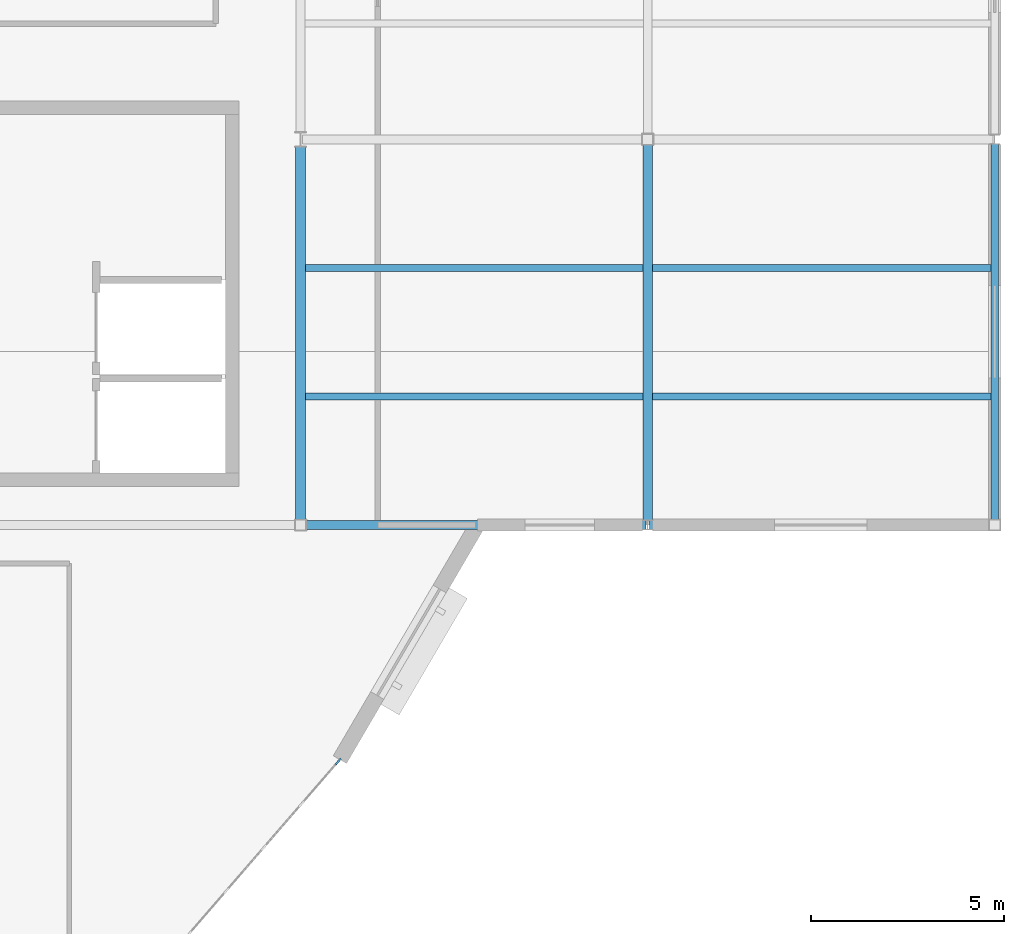
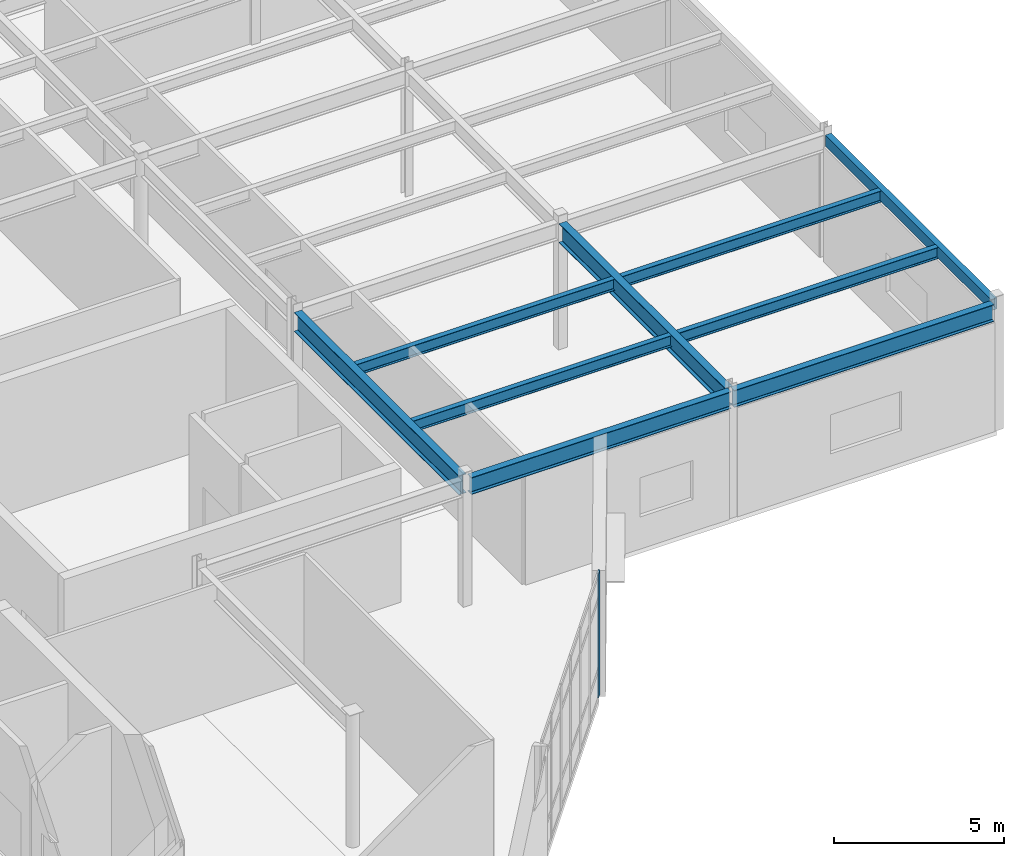
# One storey, part 50 of 86: 9 beams, 1 member, 1 element without a shape of its own.
"""IFC4 building model written with IfcOpenShell, lengths in metres."""

from ifc_helpers import new_model, si_unit, direction, frame, origin, origin_2d, place, context, subcontext, project, spatial, rectangle, hollow_rectangle, i_section, extrude, material, material_profile, profile_set, type_object, element, aggregate, save


model = new_model("IFC4")

# Units and contexts
model_context = context("Model", 3, precision=1e-05, world=origin(), true_north=direction((0.0, 1.0)))
body_context = subcontext(model_context, "Body", "Model", "MODEL_VIEW")
ifc_project = project(units=[si_unit("LENGTHUNIT", "METRE"), si_unit("AREAUNIT", "SQUARE_METRE"), si_unit("VOLUMEUNIT", "CUBIC_METRE"), si_unit("PLANEANGLEUNIT", "RADIAN"), si_unit("MASSUNIT", "GRAM", prefix="KILO")], contexts=[model_context])

# Site, building, storey
site_placement = place(None, origin())
site = spatial("IfcSite", under=ifc_project, at=site_placement, CompositionType="ELEMENT")
building_placement = place(site_placement, origin())
building = spatial("IfcBuilding", under=site, at=building_placement, Name="Glasvene Arena", CompositionType="ELEMENT")
storey_placement = place(building_placement, frame((0.0, 0.0, 5.39990234375)))
storey = spatial("IfcBuildingStorey", under=building, at=storey_placement, Name="L01", CompositionType="ELEMENT", Elevation=5.39990234375)

# Beams
ifc_material_1 = material(Name="Steel S355J2", Category="steel")
ifc_material_profile_1 = material_profile(ifc_material_1, i_section(OverallWidth=0.228271484375, OverallDepth=0.607666015625, WebThickness=0.010986328125, FlangeThickness=0.017333984375, FilletRadius=0.0126953125, at=origin_2d()), Name="UKB 610x229x113")
ifc_profile_set_1 = profile_set([ifc_material_profile_1], Name="Steel S355J2")
beam_type_1 = type_object("IfcBeamType", Name="BM-GIRD-610", PredefinedType="BEAM", material=ifc_profile_set_1)
for number, where, z_axis, x_axis, name in (
    (1, (156.14501953125, 54.0, 4.21630859375), (1.0, 0.0, 0.0), (0.0, 1.0, 0.0), "Primary X girder L01-0559"),
    (2, (165.050048828125, 54.0, 4.21630859375), (1.0, 0.0, 0.0), (0.0, 1.0, 0.0), "Primary X girder L01-0560"),
):
    element("IfcBeam", number, at=place(storey_placement, frame(where, z_axis=z_axis, x_axis=x_axis)), inside=storey, type_object=beam_type_1, Name=name, PredefinedType="BEAM", context=body_context, shape_type="SweptSolid", body=[
        extrude(i_section(OverallWidth=0.228271484375, OverallDepth=0.607666015625, WebThickness=0.010986328125, FlangeThickness=0.017333984375, FilletRadius=0.0126953125, at=origin_2d()), origin(), (0.0, 0.0, 1.0), 8.804931640625),
    ])
ifc_material_profile_2 = material_profile(ifc_material_1, i_section(OverallWidth=0.253662109375, OverallDepth=0.68359375, WebThickness=0.012451171875, FlangeThickness=0.01904296875, FilletRadius=0.01513671875, at=origin_2d()), Name="UKB 686x254x140")
ifc_profile_set_2 = profile_set([ifc_material_profile_2], Name="Steel S355J2")
beam_type_2 = type_object("IfcBeamType", Name="BM-GIRD-686", PredefinedType="BEAM", material=ifc_profile_set_2)
beam_1_placement = place(storey_placement, frame((156.0, 54.14501953125, 4.178466796875), z_axis=(0.0, 1.0, 0.0), x_axis=(-1.0, 0.0, 0.0)))
element("IfcBeam", 3, at=beam_1_placement, inside=storey, type_object=beam_type_2, Name="Primary Y girder L01-0655", PredefinedType="BEAM", context=body_context, shape_type="SweptSolid", body=[
    extrude(i_section(OverallWidth=0.253662109375, OverallDepth=0.68359375, WebThickness=0.012451171875, FlangeThickness=0.01904296875, FilletRadius=0.01513671875, at=origin_2d()), origin(), (0.0, 0.0, 1.0), 9.659912109375),
])
beam_2_placement = place(storey_placement, frame((165.0, 54.125, 4.178466796875), z_axis=(0.0, 1.0, 0.0), x_axis=(-1.0, 0.0, 0.0)))
element("IfcBeam", 4, at=beam_2_placement, inside=storey, type_object=beam_type_2, Name="Primary Y girder L01-0662", PredefinedType="BEAM", context=body_context, shape_type="SweptSolid", body=[
    extrude(i_section(OverallWidth=0.253662109375, OverallDepth=0.68359375, WebThickness=0.012451171875, FlangeThickness=0.01904296875, FilletRadius=0.01513671875, at=origin_2d()), origin(), (0.0, 0.0, 1.0), 9.72998046875),
])
ifc_material_profile_3 = material_profile(ifc_material_1, i_section(OverallWidth=0.177978515625, OverallDepth=0.406494140625, WebThickness=0.0078125, FlangeThickness=0.0126953125, FilletRadius=0.01025390625, at=origin_2d()), Name="UKB 406x178x60")
ifc_profile_set_3 = profile_set([ifc_material_profile_3], Name="Steel S355J2")
beam_type_3 = type_object("IfcBeamType", Name="BM-JOIST-406", PredefinedType="JOIST", material=ifc_profile_set_3)
for number, where, z_axis, x_axis, name in (
    (5, (156.122802734375, 57.333251953125, 4.31689453125), (1.0, 0.0, 0.0), (0.0, 1.0, 0.0), "Composite floor joist L01-0751"),
    (6, (156.122802734375, 60.666748046875, 4.31689453125), (1.0, 0.0, 0.0), (0.0, 1.0, 0.0), "Composite floor joist L01-0752"),
):
    element("IfcBeam", number, at=place(storey_placement, frame(where, z_axis=z_axis, x_axis=x_axis)), inside=storey, type_object=beam_type_3, Name=name, PredefinedType="JOIST", context=body_context, shape_type="SweptSolid", body=[
        extrude(i_section(OverallWidth=0.177978515625, OverallDepth=0.406494140625, WebThickness=0.0078125, FlangeThickness=0.0126953125, FilletRadius=0.01025390625, at=origin_2d()), origin(), (0.0, 0.0, 1.0), 8.75439453125),
    ])
for number, where, z_axis, x_axis, name in (
    (7, (165.122802734375, 57.333251953125, 4.31689453125), (1.0, 0.0, 0.0), (0.0, 1.0, 0.0), "Composite floor joist L01-0765"),
    (8, (165.122802734375, 60.666748046875, 4.31689453125), (1.0, 0.0, 0.0), (0.0, 1.0, 0.0), "Composite floor joist L01-0766"),
):
    element("IfcBeam", number, at=place(storey_placement, frame(where, z_axis=z_axis, x_axis=x_axis)), inside=storey, type_object=beam_type_3, Name=name, PredefinedType="JOIST", context=body_context, shape_type="SweptSolid", body=[
        extrude(i_section(OverallWidth=0.177978515625, OverallDepth=0.406494140625, WebThickness=0.0078125, FlangeThickness=0.0126953125, FilletRadius=0.01025390625, at=origin_2d()), origin(), (0.0, 0.0, 1.0), 8.78125),
    ])
ifc_material_profile_4 = material_profile(ifc_material_1, hollow_rectangle(XDim=0.199951171875, YDim=0.39990234375, WallThickness=0.01611328125, at=origin_2d()), Name="RHS 400x200x16.0")
ifc_profile_set_4 = profile_set([ifc_material_profile_4], Name="Steel S355J2")
beam_type_4 = type_object("IfcBeamType", Name="BM-SPAND-400", PredefinedType="SPANDREL", material=ifc_profile_set_4)
beam_3_placement = place(storey_placement, frame((174.0, 54.14501953125, 4.320068359375), z_axis=(0.0, 1.0, 0.0), x_axis=(-1.0, 0.0, 0.0)))
element("IfcBeam", 9, at=beam_3_placement, inside=storey, type_object=beam_type_4, Name="Primary Y girder L01-0669", PredefinedType="SPANDREL", context=body_context, shape_type="SweptSolid", body=[
    extrude(hollow_rectangle(XDim=0.199951171875, YDim=0.39990234375, WallThickness=0.01611328125, at=origin_2d()), origin(), (0.0, 0.0, 1.0), 9.72998046875),
])

# Curtain wall, member
ifc_material_2 = material(Name="Low-emissivity laminated double glazing", Category="glass")
curtain_wall_type = type_object("IfcCurtainWallType", Name="CW-FAC-L01-892x446", PredefinedType="USERDEFINED", material=ifc_material_2)
curtain_wall_placement = place(storey_placement, frame((156.99267578125, 47.884521484375, 0.0)))
curtain_wall = element("IfcCurtainWall", 10, at=curtain_wall_placement, inside=storey, type_object=curtain_wall_type, Name="Unitised curtain wall CW-F-L01-180-1541-445-34", ObjectType="CURTAIN WALL", PredefinedType="USERDEFINED")
ifc_material_3 = material(Name="Anodised architectural aluminium", Category="aluminium")
ifc_material_profile_5 = material_profile(ifc_material_3, rectangle(XDim=0.050048828125, YDim=0.199951171875, at=origin_2d()), Name="ALU MULLION 50x200")
ifc_profile_set_5 = profile_set([ifc_material_profile_5], Name="Anodised architectural aluminium")
member_type = type_object("IfcMemberType", Name="CW-MUL-180", PredefinedType="MULLION", material=ifc_profile_set_5)
member_placement = place(storey_placement, frame((156.976318359375, 47.865478515625, 0.06005859375), z_axis=(0.0, 0.0, 1.0), x_axis=(0.755995293066, -0.65457705189, 0.0)))
member = element("IfcMember", 11, at=member_placement, type_object=member_type, Name="CW-010 mullion 1", PredefinedType="MULLION", context=body_context, shape_type="SweptSolid", body=[
    extrude(rectangle(XDim=0.050048828125, YDim=0.199951171875, at=origin_2d()), origin(), (0.0, 0.0, 1.0), 4.4599609375),
])
aggregate(curtain_wall, [member])

save(model, "model.ifc")
